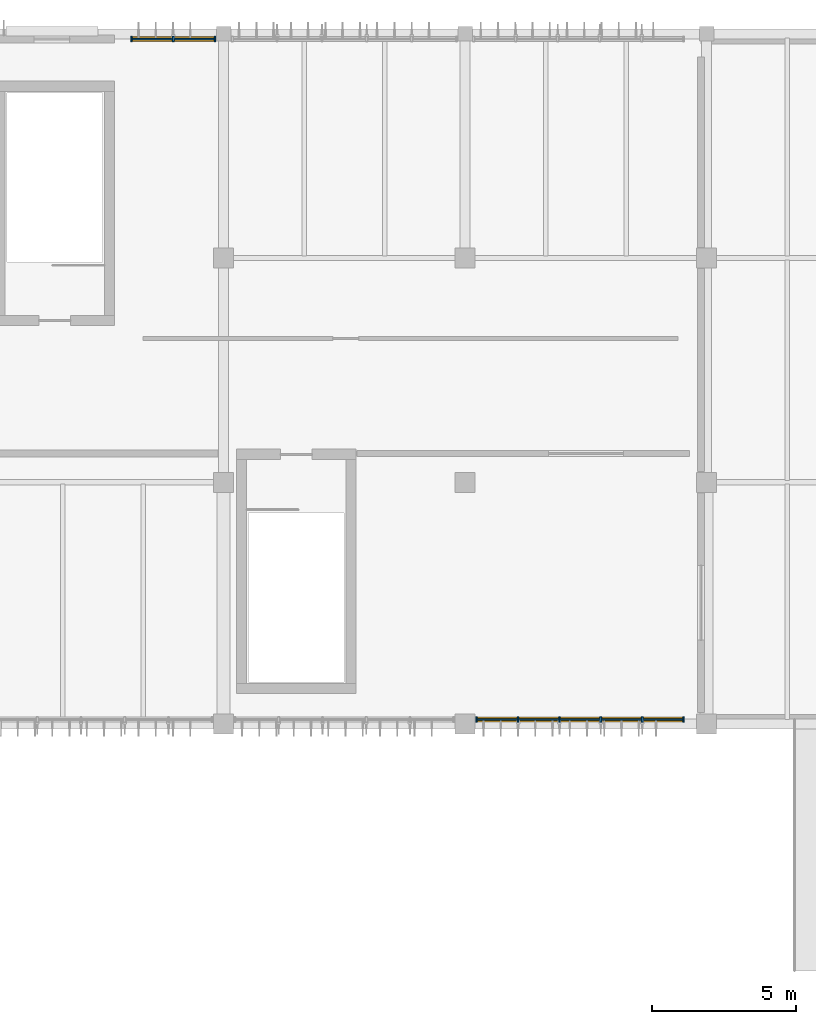
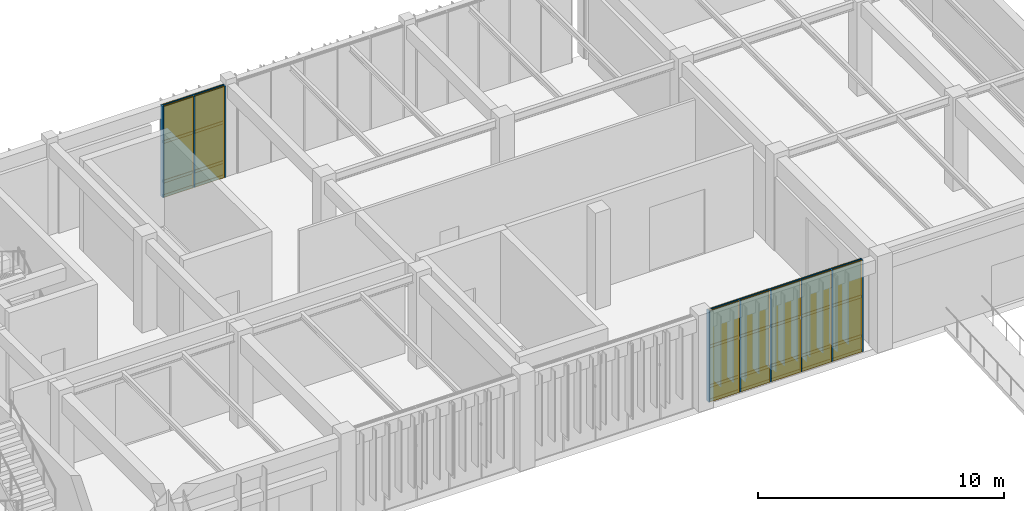
# One storey, part 103 of 122: 37 members, 21 plates, 2 curtain walls.
"""IFC4 building model written with IfcOpenShell, lengths in metres."""

from ifc_helpers import new_model, si_unit, direction, frame, frame_2d, origin, origin_2d, place, context, subcontext, project, spatial, rectangle, extrude, material, layer, layer_set, material_profile, profile_set, type_object, element, aggregate, save


model = new_model("IFC4")

# Units and contexts
model_context = context("Model", 3, precision=1e-05, world=origin(), true_north=direction((0.0, 1.0)))
body_context = subcontext(model_context, "Body", "Model", "MODEL_VIEW")
ifc_project = project(units=[si_unit("LENGTHUNIT", "METRE"), si_unit("AREAUNIT", "SQUARE_METRE"), si_unit("VOLUMEUNIT", "CUBIC_METRE"), si_unit("PLANEANGLEUNIT", "RADIAN"), si_unit("MASSUNIT", "GRAM", prefix="KILO")], contexts=[model_context])

# Member
ifc_material_1 = material(Name="Anodised Bronze Aluminium 6063-T6", Category="aluminium")
ifc_material_profile_1 = material_profile(ifc_material_1, rectangle(XDim=0.06005859375, YDim=0.179931640625, at=origin_2d()), Name="ALU MULLION 60x180")
ifc_profile_set_1 = profile_set([ifc_material_profile_1], Name="Anodised Bronze Aluminium 6063-T6")
member_type_1 = type_object("IfcMemberType", Name="Curtain-Wall Primary Mullion 60x180", PredefinedType="MULLION", material=ifc_profile_set_1)
site_placement = place(None, origin())
building_placement = place(site_placement, origin())
storey_placement = place(building_placement, origin())
member_1_placement = place(storey_placement, frame((130.60009765625, 111.6201171875, 0.0), z_axis=(0.0, 0.0, 1.0), x_axis=(1.0, 0.0, 0.0)))
member_1 = element("IfcMember", 1, at=member_1_placement, type_object=member_type_1, Name="Mullion CWM-01 CW-V3-N3-L00-B1-M01", PredefinedType="MULLION", context=body_context, shape_type="SweptSolid", body=[
    extrude(rectangle(XDim=0.06005859375, YDim=0.179931640625, at=origin_2d()), origin(), (0.0, 0.0, 1.0), 4.5400390625),
])

member_2_placement = place(storey_placement, frame((132.050048828125, 111.6201171875, 0.0), z_axis=(0.0, 0.0, 1.0), x_axis=(1.0, 0.0, 0.0)))
member_2 = element("IfcMember", 2, at=member_2_placement, type_object=member_type_1, Name="Mullion CWM-01 CW-V3-N3-L00-B1-M02", PredefinedType="MULLION", context=body_context, shape_type="SweptSolid", body=[
    extrude(rectangle(XDim=0.06005859375, YDim=0.179931640625, at=origin_2d()), origin(), (0.0, 0.0, 1.0), 4.5400390625),
])

member_3_placement = place(storey_placement, frame((133.5, 111.6201171875, 0.0), z_axis=(0.0, 0.0, 1.0), x_axis=(1.0, 0.0, 0.0)))
member_3 = element("IfcMember", 3, at=member_3_placement, type_object=member_type_1, Name="Mullion CWM-01 CW-V3-N3-L00-B1-M03", PredefinedType="MULLION", context=body_context, shape_type="SweptSolid", body=[
    extrude(rectangle(XDim=0.06005859375, YDim=0.179931640625, at=origin_2d()), origin(), (0.0, 0.0, 1.0), 4.5400390625),
])

member_4_placement = place(storey_placement, frame((142.60009765625, 87.949951171875, 0.0), z_axis=(0.0, 0.0, 1.0), x_axis=(1.0, 0.0, 0.0)))
member_4 = element("IfcMember", 4, at=member_4_placement, type_object=member_type_1, Name="Mullion CWM-01 CW-V3-S2-L00-B3-M01", PredefinedType="MULLION", context=body_context, shape_type="SweptSolid", body=[
    extrude(rectangle(XDim=0.06005859375, YDim=0.179931640625, at=origin_2d()), origin(), (0.0, 0.0, 1.0), 4.5400390625),
])

member_5_placement = place(storey_placement, frame((144.0400390625, 87.949951171875, 0.0), z_axis=(0.0, 0.0, 1.0), x_axis=(1.0, 0.0, 0.0)))
member_5 = element("IfcMember", 5, at=member_5_placement, type_object=member_type_1, Name="Mullion CWM-01 CW-V3-S2-L00-B3-M02", PredefinedType="MULLION", context=body_context, shape_type="SweptSolid", body=[
    extrude(rectangle(XDim=0.06005859375, YDim=0.179931640625, at=origin_2d()), origin(), (0.0, 0.0, 1.0), 4.5400390625),
])

member_6_placement = place(storey_placement, frame((145.47998046875, 87.949951171875, 0.0), z_axis=(0.0, 0.0, 1.0), x_axis=(1.0, 0.0, 0.0)))
member_6 = element("IfcMember", 6, at=member_6_placement, type_object=member_type_1, Name="Mullion CWM-01 CW-V3-S2-L00-B3-M03", PredefinedType="MULLION", context=body_context, shape_type="SweptSolid", body=[
    extrude(rectangle(XDim=0.06005859375, YDim=0.179931640625, at=origin_2d()), origin(), (0.0, 0.0, 1.0), 4.5400390625),
])

member_7_placement = place(storey_placement, frame((146.919921875, 87.949951171875, 0.0), z_axis=(0.0, 0.0, 1.0), x_axis=(1.0, 0.0, 0.0)))
member_7 = element("IfcMember", 7, at=member_7_placement, type_object=member_type_1, Name="Mullion CWM-01 CW-V3-S2-L00-B3-M04", PredefinedType="MULLION", context=body_context, shape_type="SweptSolid", body=[
    extrude(rectangle(XDim=0.06005859375, YDim=0.179931640625, at=origin_2d()), origin(), (0.0, 0.0, 1.0), 4.5400390625),
])

member_8_placement = place(storey_placement, frame((148.360107421875, 87.949951171875, 0.0), z_axis=(0.0, 0.0, 1.0), x_axis=(1.0, 0.0, 0.0)))
member_8 = element("IfcMember", 8, at=member_8_placement, type_object=member_type_1, Name="Mullion CWM-01 CW-V3-S2-L00-B3-M05", PredefinedType="MULLION", context=body_context, shape_type="SweptSolid", body=[
    extrude(rectangle(XDim=0.06005859375, YDim=0.179931640625, at=origin_2d()), origin(), (0.0, 0.0, 1.0), 4.5400390625),
])

member_9_placement = place(storey_placement, frame((149.800048828125, 87.949951171875, 0.0), z_axis=(0.0, 0.0, 1.0), x_axis=(1.0, 0.0, 0.0)))
member_9 = element("IfcMember", 9, at=member_9_placement, type_object=member_type_1, Name="Mullion CWM-01 CW-V3-S2-L00-B3-M06", PredefinedType="MULLION", context=body_context, shape_type="SweptSolid", body=[
    extrude(rectangle(XDim=0.06005859375, YDim=0.179931640625, at=origin_2d()), origin(), (0.0, 0.0, 1.0), 4.5400390625),
])

ifc_material_profile_2 = material_profile(ifc_material_1, rectangle(XDim=0.06005859375, YDim=0.139892578125, at=origin_2d()), Name="ALU TRANSOM 60x140")
ifc_profile_set_2 = profile_set([ifc_material_profile_2], Name="Anodised Bronze Aluminium 6063-T6")
member_type_2 = type_object("IfcMemberType", Name="Curtain-Wall Transom 60x140", PredefinedType="USERDEFINED", material=ifc_profile_set_2)
member_10_placement = place(storey_placement, frame((130.635009765625, 111.6201171875, 0.0400390625), z_axis=(1.0, 0.0, 0.0), x_axis=(0.0, 1.0, 0.0)))
member_10 = element("IfcMember", 10, at=member_10_placement, type_object=member_type_2, Name="Transom CWT-01 CW-V3-N3-L00-B1-T01.1", ObjectType="TRANSOM", PredefinedType="USERDEFINED", context=body_context, shape_type="SweptSolid", body=[
    extrude(rectangle(XDim=0.06005859375, YDim=0.139892578125, at=origin_2d()), origin(), (0.0, 0.0, 1.0), 1.3798828125),
])

member_11_placement = place(storey_placement, frame((130.635009765625, 111.6201171875, 0.75), z_axis=(1.0, 0.0, 0.0), x_axis=(0.0, 1.0, 0.0)))
member_11 = element("IfcMember", 11, at=member_11_placement, type_object=member_type_2, Name="Transom CWT-01 CW-V3-N3-L00-B1-T01.2", ObjectType="TRANSOM", PredefinedType="USERDEFINED", context=body_context, shape_type="SweptSolid", body=[
    extrude(rectangle(XDim=0.06005859375, YDim=0.139892578125, at=origin_2d()), origin(), (0.0, 0.0, 1.0), 1.3798828125),
])

member_12_placement = place(storey_placement, frame((130.635009765625, 111.6201171875, 2.720703125), z_axis=(1.0, 0.0, 0.0), x_axis=(0.0, 1.0, 0.0)))
member_12 = element("IfcMember", 12, at=member_12_placement, type_object=member_type_2, Name="Transom CWT-01 CW-V3-N3-L00-B1-T01.3", ObjectType="TRANSOM", PredefinedType="USERDEFINED", context=body_context, shape_type="SweptSolid", body=[
    extrude(rectangle(XDim=0.06005859375, YDim=0.139892578125, at=origin_2d()), origin(), (0.0, 0.0, 1.0), 1.3798828125),
])

member_13_placement = place(storey_placement, frame((130.635009765625, 111.6201171875, 4.5), z_axis=(1.0, 0.0, 0.0), x_axis=(0.0, 1.0, 0.0)))
member_13 = element("IfcMember", 13, at=member_13_placement, type_object=member_type_2, Name="Transom CWT-01 CW-V3-N3-L00-B1-T01.4", ObjectType="TRANSOM", PredefinedType="USERDEFINED", context=body_context, shape_type="SweptSolid", body=[
    extrude(rectangle(XDim=0.06005859375, YDim=0.139892578125, at=origin_2d()), origin(), (0.0, 0.0, 1.0), 1.3798828125),
])

member_14_placement = place(storey_placement, frame((132.0849609375, 111.6201171875, 0.0400390625), z_axis=(1.0, 0.0, 0.0), x_axis=(0.0, 1.0, 0.0)))
member_14 = element("IfcMember", 14, at=member_14_placement, type_object=member_type_2, Name="Transom CWT-01 CW-V3-N3-L00-B1-T02.1", ObjectType="TRANSOM", PredefinedType="USERDEFINED", context=body_context, shape_type="SweptSolid", body=[
    extrude(rectangle(XDim=0.06005859375, YDim=0.139892578125, at=origin_2d()), origin(), (0.0, 0.0, 1.0), 1.380126953125),
])

member_15_placement = place(storey_placement, frame((132.0849609375, 111.6201171875, 0.75), z_axis=(1.0, 0.0, 0.0), x_axis=(0.0, 1.0, 0.0)))
member_15 = element("IfcMember", 15, at=member_15_placement, type_object=member_type_2, Name="Transom CWT-01 CW-V3-N3-L00-B1-T02.2", ObjectType="TRANSOM", PredefinedType="USERDEFINED", context=body_context, shape_type="SweptSolid", body=[
    extrude(rectangle(XDim=0.06005859375, YDim=0.139892578125, at=origin_2d()), origin(), (0.0, 0.0, 1.0), 1.380126953125),
])

member_16_placement = place(storey_placement, frame((132.0849609375, 111.6201171875, 2.720703125), z_axis=(1.0, 0.0, 0.0), x_axis=(0.0, 1.0, 0.0)))
member_16 = element("IfcMember", 16, at=member_16_placement, type_object=member_type_2, Name="Transom CWT-01 CW-V3-N3-L00-B1-T02.3", ObjectType="TRANSOM", PredefinedType="USERDEFINED", context=body_context, shape_type="SweptSolid", body=[
    extrude(rectangle(XDim=0.06005859375, YDim=0.139892578125, at=origin_2d()), origin(), (0.0, 0.0, 1.0), 1.380126953125),
])

member_17_placement = place(storey_placement, frame((132.0849609375, 111.6201171875, 4.5), z_axis=(1.0, 0.0, 0.0), x_axis=(0.0, 1.0, 0.0)))
member_17 = element("IfcMember", 17, at=member_17_placement, type_object=member_type_2, Name="Transom CWT-01 CW-V3-N3-L00-B1-T02.4", ObjectType="TRANSOM", PredefinedType="USERDEFINED", context=body_context, shape_type="SweptSolid", body=[
    extrude(rectangle(XDim=0.06005859375, YDim=0.139892578125, at=origin_2d()), origin(), (0.0, 0.0, 1.0), 1.380126953125),
])

member_18_placement = place(storey_placement, frame((142.635009765625, 87.949951171875, 0.0400390625), z_axis=(1.0, 0.0, 0.0), x_axis=(0.0, 1.0, 0.0)))
member_18 = element("IfcMember", 18, at=member_18_placement, type_object=member_type_2, Name="Transom CWT-01 CW-V3-S2-L00-B3-T01.1", ObjectType="TRANSOM", PredefinedType="USERDEFINED", context=body_context, shape_type="SweptSolid", body=[
    extrude(rectangle(XDim=0.06005859375, YDim=0.139892578125, at=origin_2d()), origin(), (0.0, 0.0, 1.0), 1.369873046875),
])

member_19_placement = place(storey_placement, frame((142.635009765625, 87.949951171875, 0.75), z_axis=(1.0, 0.0, 0.0), x_axis=(0.0, 1.0, 0.0)))
member_19 = element("IfcMember", 19, at=member_19_placement, type_object=member_type_2, Name="Transom CWT-01 CW-V3-S2-L00-B3-T01.2", ObjectType="TRANSOM", PredefinedType="USERDEFINED", context=body_context, shape_type="SweptSolid", body=[
    extrude(rectangle(XDim=0.06005859375, YDim=0.139892578125, at=origin_2d()), origin(), (0.0, 0.0, 1.0), 1.369873046875),
])

member_20_placement = place(storey_placement, frame((142.635009765625, 87.949951171875, 2.720703125), z_axis=(1.0, 0.0, 0.0), x_axis=(0.0, 1.0, 0.0)))
member_20 = element("IfcMember", 20, at=member_20_placement, type_object=member_type_2, Name="Transom CWT-01 CW-V3-S2-L00-B3-T01.3", ObjectType="TRANSOM", PredefinedType="USERDEFINED", context=body_context, shape_type="SweptSolid", body=[
    extrude(rectangle(XDim=0.06005859375, YDim=0.139892578125, at=origin_2d()), origin(), (0.0, 0.0, 1.0), 1.369873046875),
])

member_21_placement = place(storey_placement, frame((142.635009765625, 87.949951171875, 4.5), z_axis=(1.0, 0.0, 0.0), x_axis=(0.0, 1.0, 0.0)))
member_21 = element("IfcMember", 21, at=member_21_placement, type_object=member_type_2, Name="Transom CWT-01 CW-V3-S2-L00-B3-T01.4", ObjectType="TRANSOM", PredefinedType="USERDEFINED", context=body_context, shape_type="SweptSolid", body=[
    extrude(rectangle(XDim=0.06005859375, YDim=0.139892578125, at=origin_2d()), origin(), (0.0, 0.0, 1.0), 1.369873046875),
])

member_22_placement = place(storey_placement, frame((144.074951171875, 87.949951171875, 0.0400390625), z_axis=(1.0, 0.0, 0.0), x_axis=(0.0, 1.0, 0.0)))
member_22 = element("IfcMember", 22, at=member_22_placement, type_object=member_type_2, Name="Transom CWT-01 CW-V3-S2-L00-B3-T02.1", ObjectType="TRANSOM", PredefinedType="USERDEFINED", context=body_context, shape_type="SweptSolid", body=[
    extrude(rectangle(XDim=0.06005859375, YDim=0.139892578125, at=origin_2d()), origin(), (0.0, 0.0, 1.0), 1.3701171875),
])

member_23_placement = place(storey_placement, frame((144.074951171875, 87.949951171875, 0.75), z_axis=(1.0, 0.0, 0.0), x_axis=(0.0, 1.0, 0.0)))
member_23 = element("IfcMember", 23, at=member_23_placement, type_object=member_type_2, Name="Transom CWT-01 CW-V3-S2-L00-B3-T02.2", ObjectType="TRANSOM", PredefinedType="USERDEFINED", context=body_context, shape_type="SweptSolid", body=[
    extrude(rectangle(XDim=0.06005859375, YDim=0.139892578125, at=origin_2d()), origin(), (0.0, 0.0, 1.0), 1.3701171875),
])

member_24_placement = place(storey_placement, frame((144.074951171875, 87.949951171875, 2.720703125), z_axis=(1.0, 0.0, 0.0), x_axis=(0.0, 1.0, 0.0)))
member_24 = element("IfcMember", 24, at=member_24_placement, type_object=member_type_2, Name="Transom CWT-01 CW-V3-S2-L00-B3-T02.3", ObjectType="TRANSOM", PredefinedType="USERDEFINED", context=body_context, shape_type="SweptSolid", body=[
    extrude(rectangle(XDim=0.06005859375, YDim=0.139892578125, at=origin_2d()), origin(), (0.0, 0.0, 1.0), 1.3701171875),
])

member_25_placement = place(storey_placement, frame((144.074951171875, 87.949951171875, 4.5), z_axis=(1.0, 0.0, 0.0), x_axis=(0.0, 1.0, 0.0)))
member_25 = element("IfcMember", 25, at=member_25_placement, type_object=member_type_2, Name="Transom CWT-01 CW-V3-S2-L00-B3-T02.4", ObjectType="TRANSOM", PredefinedType="USERDEFINED", context=body_context, shape_type="SweptSolid", body=[
    extrude(rectangle(XDim=0.06005859375, YDim=0.139892578125, at=origin_2d()), origin(), (0.0, 0.0, 1.0), 1.3701171875),
])

member_26_placement = place(storey_placement, frame((145.514892578125, 87.949951171875, 0.0400390625), z_axis=(1.0, 0.0, 0.0), x_axis=(0.0, 1.0, 0.0)))
member_26 = element("IfcMember", 26, at=member_26_placement, type_object=member_type_2, Name="Transom CWT-01 CW-V3-S2-L00-B3-T03.1", ObjectType="TRANSOM", PredefinedType="USERDEFINED", context=body_context, shape_type="SweptSolid", body=[
    extrude(rectangle(XDim=0.06005859375, YDim=0.139892578125, at=origin_2d()), origin(), (0.0, 0.0, 1.0), 1.3701171875),
])

member_27_placement = place(storey_placement, frame((145.514892578125, 87.949951171875, 0.75), z_axis=(1.0, 0.0, 0.0), x_axis=(0.0, 1.0, 0.0)))
member_27 = element("IfcMember", 27, at=member_27_placement, type_object=member_type_2, Name="Transom CWT-01 CW-V3-S2-L00-B3-T03.2", ObjectType="TRANSOM", PredefinedType="USERDEFINED", context=body_context, shape_type="SweptSolid", body=[
    extrude(rectangle(XDim=0.06005859375, YDim=0.139892578125, at=origin_2d()), origin(), (0.0, 0.0, 1.0), 1.3701171875),
])

member_28_placement = place(storey_placement, frame((145.514892578125, 87.949951171875, 2.720703125), z_axis=(1.0, 0.0, 0.0), x_axis=(0.0, 1.0, 0.0)))
member_28 = element("IfcMember", 28, at=member_28_placement, type_object=member_type_2, Name="Transom CWT-01 CW-V3-S2-L00-B3-T03.3", ObjectType="TRANSOM", PredefinedType="USERDEFINED", context=body_context, shape_type="SweptSolid", body=[
    extrude(rectangle(XDim=0.06005859375, YDim=0.139892578125, at=origin_2d()), origin(), (0.0, 0.0, 1.0), 1.3701171875),
])

member_29_placement = place(storey_placement, frame((145.514892578125, 87.949951171875, 4.5), z_axis=(1.0, 0.0, 0.0), x_axis=(0.0, 1.0, 0.0)))
member_29 = element("IfcMember", 29, at=member_29_placement, type_object=member_type_2, Name="Transom CWT-01 CW-V3-S2-L00-B3-T03.4", ObjectType="TRANSOM", PredefinedType="USERDEFINED", context=body_context, shape_type="SweptSolid", body=[
    extrude(rectangle(XDim=0.06005859375, YDim=0.139892578125, at=origin_2d()), origin(), (0.0, 0.0, 1.0), 1.3701171875),
])

member_30_placement = place(storey_placement, frame((146.955078125, 87.949951171875, 0.0400390625), z_axis=(1.0, 0.0, 0.0), x_axis=(0.0, 1.0, 0.0)))
member_30 = element("IfcMember", 30, at=member_30_placement, type_object=member_type_2, Name="Transom CWT-01 CW-V3-S2-L00-B3-T04.1", ObjectType="TRANSOM", PredefinedType="USERDEFINED", context=body_context, shape_type="SweptSolid", body=[
    extrude(rectangle(XDim=0.06005859375, YDim=0.139892578125, at=origin_2d()), origin(), (0.0, 0.0, 1.0), 1.369873046875),
])

member_31_placement = place(storey_placement, frame((146.955078125, 87.949951171875, 0.75), z_axis=(1.0, 0.0, 0.0), x_axis=(0.0, 1.0, 0.0)))
member_31 = element("IfcMember", 31, at=member_31_placement, type_object=member_type_2, Name="Transom CWT-01 CW-V3-S2-L00-B3-T04.2", ObjectType="TRANSOM", PredefinedType="USERDEFINED", context=body_context, shape_type="SweptSolid", body=[
    extrude(rectangle(XDim=0.06005859375, YDim=0.139892578125, at=origin_2d()), origin(), (0.0, 0.0, 1.0), 1.369873046875),
])

member_32_placement = place(storey_placement, frame((146.955078125, 87.949951171875, 2.720703125), z_axis=(1.0, 0.0, 0.0), x_axis=(0.0, 1.0, 0.0)))
member_32 = element("IfcMember", 32, at=member_32_placement, type_object=member_type_2, Name="Transom CWT-01 CW-V3-S2-L00-B3-T04.3", ObjectType="TRANSOM", PredefinedType="USERDEFINED", context=body_context, shape_type="SweptSolid", body=[
    extrude(rectangle(XDim=0.06005859375, YDim=0.139892578125, at=origin_2d()), origin(), (0.0, 0.0, 1.0), 1.369873046875),
])

member_33_placement = place(storey_placement, frame((146.955078125, 87.949951171875, 4.5), z_axis=(1.0, 0.0, 0.0), x_axis=(0.0, 1.0, 0.0)))
member_33 = element("IfcMember", 33, at=member_33_placement, type_object=member_type_2, Name="Transom CWT-01 CW-V3-S2-L00-B3-T04.4", ObjectType="TRANSOM", PredefinedType="USERDEFINED", context=body_context, shape_type="SweptSolid", body=[
    extrude(rectangle(XDim=0.06005859375, YDim=0.139892578125, at=origin_2d()), origin(), (0.0, 0.0, 1.0), 1.369873046875),
])

member_34_placement = place(storey_placement, frame((148.39501953125, 87.949951171875, 0.0400390625), z_axis=(1.0, 0.0, 0.0), x_axis=(0.0, 1.0, 0.0)))
member_34 = element("IfcMember", 34, at=member_34_placement, type_object=member_type_2, Name="Transom CWT-01 CW-V3-S2-L00-B3-T05.1", ObjectType="TRANSOM", PredefinedType="USERDEFINED", context=body_context, shape_type="SweptSolid", body=[
    extrude(rectangle(XDim=0.06005859375, YDim=0.139892578125, at=origin_2d()), origin(), (0.0, 0.0, 1.0), 1.369873046875),
])

member_35_placement = place(storey_placement, frame((148.39501953125, 87.949951171875, 0.75), z_axis=(1.0, 0.0, 0.0), x_axis=(0.0, 1.0, 0.0)))
member_35 = element("IfcMember", 35, at=member_35_placement, type_object=member_type_2, Name="Transom CWT-01 CW-V3-S2-L00-B3-T05.2", ObjectType="TRANSOM", PredefinedType="USERDEFINED", context=body_context, shape_type="SweptSolid", body=[
    extrude(rectangle(XDim=0.06005859375, YDim=0.139892578125, at=origin_2d()), origin(), (0.0, 0.0, 1.0), 1.369873046875),
])

member_36_placement = place(storey_placement, frame((148.39501953125, 87.949951171875, 2.720703125), z_axis=(1.0, 0.0, 0.0), x_axis=(0.0, 1.0, 0.0)))
member_36 = element("IfcMember", 36, at=member_36_placement, type_object=member_type_2, Name="Transom CWT-01 CW-V3-S2-L00-B3-T05.3", ObjectType="TRANSOM", PredefinedType="USERDEFINED", context=body_context, shape_type="SweptSolid", body=[
    extrude(rectangle(XDim=0.06005859375, YDim=0.139892578125, at=origin_2d()), origin(), (0.0, 0.0, 1.0), 1.369873046875),
])

member_37_placement = place(storey_placement, frame((148.39501953125, 87.949951171875, 4.5), z_axis=(1.0, 0.0, 0.0), x_axis=(0.0, 1.0, 0.0)))
member_37 = element("IfcMember", 37, at=member_37_placement, type_object=member_type_2, Name="Transom CWT-01 CW-V3-S2-L00-B3-T05.4", ObjectType="TRANSOM", PredefinedType="USERDEFINED", context=body_context, shape_type="SweptSolid", body=[
    extrude(rectangle(XDim=0.06005859375, YDim=0.139892578125, at=origin_2d()), origin(), (0.0, 0.0, 1.0), 1.369873046875),
])

# Plate
ifc_material_2 = material(Name="Insulated Bronze Aluminium Spandrel Panel", Category="aluminium")
ifc_layer_1 = layer(ifc_material_2, 0.050048828125, Name="Insulated Bronze Aluminium Spandrel Panel")
ifc_layer_set_1 = layer_set([ifc_layer_1], Name="Insulated Bronze Aluminium Spandrel Panel")
plate_type_1 = type_object("IfcPlateType", Name="Insulated Anodised Aluminium Spandrel Cassette 50", PredefinedType="CURTAIN_PANEL", material=ifc_layer_set_1)
plate_1_placement = place(storey_placement, frame((131.324951171875, 111.6201171875, 0.070068359375), z_axis=(0.0, 0.0, 1.0), x_axis=(1.0, 0.0, 0.0)))
plate_1 = element("IfcPlate", 38, at=plate_1_placement, type_object=plate_type_1, Name="Curtain Panel CWP-03 CW-V3-N3-L00-B1-P01.1", PredefinedType="CURTAIN_PANEL", context=body_context, shape_type="SweptSolid", body=[
    extrude(rectangle(XDim=1.3798828125, YDim=0.050048828125, at=origin_2d()), origin(), (0.0, 0.0, 1.0), 0.64990234375),
])

plate_2_placement = place(storey_placement, frame((132.77490234375, 111.6201171875, 0.070068359375), z_axis=(0.0, 0.0, 1.0), x_axis=(1.0, 0.0, 0.0)))
plate_2 = element("IfcPlate", 39, at=plate_2_placement, type_object=plate_type_1, Name="Curtain Panel CWP-03 CW-V3-N3-L00-B1-P02.1", PredefinedType="CURTAIN_PANEL", context=body_context, shape_type="SweptSolid", body=[
    extrude(rectangle(XDim=1.3798828125, YDim=0.050048828125, at=origin_2d()), origin(), (0.0, 0.0, 1.0), 0.64990234375),
])

plate_3_placement = place(storey_placement, frame((143.320068359375, 87.949951171875, 0.070068359375), z_axis=(0.0, 0.0, 1.0), x_axis=(1.0, 0.0, 0.0)))
plate_3 = element("IfcPlate", 40, at=plate_3_placement, type_object=plate_type_1, Name="Curtain Panel CWP-03 CW-V3-S2-L00-B3-P01.1", PredefinedType="CURTAIN_PANEL", context=body_context, shape_type="SweptSolid", body=[
    extrude(rectangle(XDim=1.3701171875, YDim=0.050048828125, at=origin_2d()), origin(), (0.0, 0.0, 1.0), 0.64990234375),
])

plate_4_placement = place(storey_placement, frame((144.760009765625, 87.949951171875, 0.070068359375), z_axis=(0.0, 0.0, 1.0), x_axis=(1.0, 0.0, 0.0)))
plate_4 = element("IfcPlate", 41, at=plate_4_placement, type_object=plate_type_1, Name="Curtain Panel CWP-03 CW-V3-S2-L00-B3-P02.1", PredefinedType="CURTAIN_PANEL", context=body_context, shape_type="SweptSolid", body=[
    extrude(rectangle(XDim=1.3701171875, YDim=0.050048828125, at=origin_2d()), origin(), (0.0, 0.0, 1.0), 0.64990234375),
])

plate_5_placement = place(storey_placement, frame((146.199951171875, 87.949951171875, 0.070068359375), z_axis=(0.0, 0.0, 1.0), x_axis=(1.0, 0.0, 0.0)))
plate_5 = element("IfcPlate", 42, at=plate_5_placement, type_object=plate_type_1, Name="Curtain Panel CWP-03 CW-V3-S2-L00-B3-P03.1", PredefinedType="CURTAIN_PANEL", context=body_context, shape_type="SweptSolid", body=[
    extrude(rectangle(XDim=1.3701171875, YDim=0.050048828125, at=origin_2d()), origin(), (0.0, 0.0, 1.0), 0.64990234375),
])

plate_6_placement = place(storey_placement, frame((147.639892578125, 87.949951171875, 0.070068359375), z_axis=(0.0, 0.0, 1.0), x_axis=(1.0, 0.0, 0.0)))
plate_6 = element("IfcPlate", 43, at=plate_6_placement, type_object=plate_type_1, Name="Curtain Panel CWP-03 CW-V3-S2-L00-B3-P04.1", PredefinedType="CURTAIN_PANEL", context=body_context, shape_type="SweptSolid", body=[
    extrude(rectangle(XDim=1.3701171875, YDim=0.050048828125, at=origin_2d()), origin(), (0.0, 0.0, 1.0), 0.64990234375),
])

plate_7_placement = place(storey_placement, frame((149.080078125, 87.949951171875, 0.070068359375), z_axis=(0.0, 0.0, 1.0), x_axis=(1.0, 0.0, 0.0)))
plate_7 = element("IfcPlate", 44, at=plate_7_placement, type_object=plate_type_1, Name="Curtain Panel CWP-03 CW-V3-S2-L00-B3-P05.1", PredefinedType="CURTAIN_PANEL", context=body_context, shape_type="SweptSolid", body=[
    extrude(rectangle(XDim=1.3701171875, YDim=0.050048828125, at=origin_2d()), origin(), (0.0, 0.0, 1.0), 0.64990234375),
])

ifc_material_3 = material(Name="Solar-Control Tempered Double Glazing", Category="glass")
ifc_layer_2 = layer(ifc_material_3, 0.0380859375, Name="Solar-Control Tempered Double Glazing")
ifc_layer_set_2 = layer_set([ifc_layer_2], Name="Solar-Control Tempered Double Glazing")
plate_type_2 = type_object("IfcPlateType", Name="Solar-Control Vision Glazing Unit 38", PredefinedType="CURTAIN_PANEL", material=ifc_layer_set_2)
plate_8_placement = place(storey_placement, frame((131.324951171875, 111.6201171875, 0.77978515625), z_axis=(0.0, 0.0, 1.0), x_axis=(1.0, 0.0, 0.0)))
plate_8 = element("IfcPlate", 45, at=plate_8_placement, type_object=plate_type_2, Name="Curtain Panel CWP-02 CW-V3-N3-L00-B1-P01.2", PredefinedType="CURTAIN_PANEL", context=body_context, shape_type="SweptSolid", body=[
    extrude(rectangle(XDim=1.3798828125, YDim=0.0380859375, at=origin_2d()), origin(), (0.0, 0.0, 1.0), 1.910888671875),
])

plate_9_placement = place(storey_placement, frame((131.324951171875, 111.6201171875, 2.750732421875), z_axis=(0.0, 0.0, 1.0), x_axis=(1.0, 0.0, 0.0)))
plate_9 = element("IfcPlate", 46, at=plate_9_placement, type_object=plate_type_2, Name="Curtain Panel CWP-02 CW-V3-N3-L00-B1-P01.3", PredefinedType="CURTAIN_PANEL", context=body_context, shape_type="SweptSolid", body=[
    extrude(rectangle(XDim=1.3798828125, YDim=0.0380859375, at=origin_2d()), origin(), (0.0, 0.0, 1.0), 1.71923828125),
])

plate_10_placement = place(storey_placement, frame((132.77490234375, 111.6201171875, 0.77978515625), z_axis=(0.0, 0.0, 1.0), x_axis=(1.0, 0.0, 0.0)))
plate_10 = element("IfcPlate", 47, at=plate_10_placement, type_object=plate_type_2, Name="Curtain Panel CWP-02 CW-V3-N3-L00-B1-P02.2", PredefinedType="CURTAIN_PANEL", context=body_context, shape_type="SweptSolid", body=[
    extrude(rectangle(XDim=1.3798828125, YDim=0.0380859375, at=origin_2d()), origin(), (0.0, 0.0, 1.0), 1.910888671875),
])

plate_11_placement = place(storey_placement, frame((132.77490234375, 111.6201171875, 2.750732421875), z_axis=(0.0, 0.0, 1.0), x_axis=(1.0, 0.0, 0.0)))
plate_11 = element("IfcPlate", 48, at=plate_11_placement, type_object=plate_type_2, Name="Curtain Panel CWP-02 CW-V3-N3-L00-B1-P02.3", PredefinedType="CURTAIN_PANEL", context=body_context, shape_type="SweptSolid", body=[
    extrude(rectangle(XDim=1.3798828125, YDim=0.0380859375, at=origin_2d()), origin(), (0.0, 0.0, 1.0), 1.71923828125),
])

plate_12_placement = place(storey_placement, frame((143.320068359375, 87.949951171875, 0.77978515625), z_axis=(0.0, 0.0, 1.0), x_axis=(1.0, 0.0, 0.0)))
plate_12 = element("IfcPlate", 49, at=plate_12_placement, type_object=plate_type_2, Name="Curtain Panel CWP-02 CW-V3-S2-L00-B3-P01.2", PredefinedType="CURTAIN_PANEL", context=body_context, shape_type="SweptSolid", body=[
    extrude(rectangle(XDim=1.3701171875, YDim=0.0380859375, at=origin_2d()), origin(), (0.0, 0.0, 1.0), 1.910888671875),
])

plate_13_placement = place(storey_placement, frame((143.320068359375, 87.949951171875, 2.750732421875), z_axis=(0.0, 0.0, 1.0), x_axis=(1.0, 0.0, 0.0)))
plate_13 = element("IfcPlate", 50, at=plate_13_placement, type_object=plate_type_2, Name="Curtain Panel CWP-02 CW-V3-S2-L00-B3-P01.3", PredefinedType="CURTAIN_PANEL", context=body_context, shape_type="SweptSolid", body=[
    extrude(rectangle(XDim=1.3701171875, YDim=0.0380859375, at=origin_2d()), origin(), (0.0, 0.0, 1.0), 1.71923828125),
])

plate_14_placement = place(storey_placement, frame((144.760009765625, 87.949951171875, 0.77978515625), z_axis=(0.0, 0.0, 1.0), x_axis=(1.0, 0.0, 0.0)))
plate_14 = element("IfcPlate", 51, at=plate_14_placement, type_object=plate_type_2, Name="Curtain Panel CWP-02 CW-V3-S2-L00-B3-P02.2", PredefinedType="CURTAIN_PANEL", context=body_context, shape_type="SweptSolid", body=[
    extrude(rectangle(XDim=1.3701171875, YDim=0.0380859375, at=origin_2d()), origin(), (0.0, 0.0, 1.0), 1.910888671875),
])

plate_15_placement = place(storey_placement, frame((144.760009765625, 87.949951171875, 2.750732421875), z_axis=(0.0, 0.0, 1.0), x_axis=(1.0, 0.0, 0.0)))
plate_15 = element("IfcPlate", 52, at=plate_15_placement, type_object=plate_type_2, Name="Curtain Panel CWP-02 CW-V3-S2-L00-B3-P02.3", PredefinedType="CURTAIN_PANEL", context=body_context, shape_type="SweptSolid", body=[
    extrude(rectangle(XDim=1.3701171875, YDim=0.0380859375, at=origin_2d()), origin(), (0.0, 0.0, 1.0), 1.71923828125),
])

plate_16_placement = place(storey_placement, frame((146.199951171875, 87.949951171875, 0.77978515625), z_axis=(0.0, 0.0, 1.0), x_axis=(1.0, 0.0, 0.0)))
plate_16 = element("IfcPlate", 53, at=plate_16_placement, type_object=plate_type_2, Name="Curtain Panel CWP-02 CW-V3-S2-L00-B3-P03.2", PredefinedType="CURTAIN_PANEL", context=body_context, shape_type="SweptSolid", body=[
    extrude(rectangle(XDim=1.3701171875, YDim=0.0380859375, at=origin_2d()), origin(), (0.0, 0.0, 1.0), 1.910888671875),
])

plate_17_placement = place(storey_placement, frame((146.199951171875, 87.949951171875, 2.750732421875), z_axis=(0.0, 0.0, 1.0), x_axis=(1.0, 0.0, 0.0)))
plate_17 = element("IfcPlate", 54, at=plate_17_placement, type_object=plate_type_2, Name="Curtain Panel CWP-02 CW-V3-S2-L00-B3-P03.3", PredefinedType="CURTAIN_PANEL", context=body_context, shape_type="SweptSolid", body=[
    extrude(rectangle(XDim=1.3701171875, YDim=0.0380859375, at=origin_2d()), origin(), (0.0, 0.0, 1.0), 1.71923828125),
])

plate_18_placement = place(storey_placement, frame((147.639892578125, 87.949951171875, 0.77978515625), z_axis=(0.0, 0.0, 1.0), x_axis=(1.0, 0.0, 0.0)))
plate_18 = element("IfcPlate", 55, at=plate_18_placement, type_object=plate_type_2, Name="Curtain Panel CWP-02 CW-V3-S2-L00-B3-P04.2", PredefinedType="CURTAIN_PANEL", context=body_context, shape_type="SweptSolid", body=[
    extrude(rectangle(XDim=1.3701171875, YDim=0.0380859375, at=origin_2d()), origin(), (0.0, 0.0, 1.0), 1.910888671875),
])

plate_19_placement = place(storey_placement, frame((147.639892578125, 87.949951171875, 2.750732421875), z_axis=(0.0, 0.0, 1.0), x_axis=(1.0, 0.0, 0.0)))
plate_19 = element("IfcPlate", 56, at=plate_19_placement, type_object=plate_type_2, Name="Curtain Panel CWP-02 CW-V3-S2-L00-B3-P04.3", PredefinedType="CURTAIN_PANEL", context=body_context, shape_type="SweptSolid", body=[
    extrude(rectangle(XDim=1.3701171875, YDim=0.0380859375, at=origin_2d()), origin(), (0.0, 0.0, 1.0), 1.71923828125),
])

plate_20_placement = place(storey_placement, frame((149.080078125, 87.949951171875, 0.77978515625), z_axis=(0.0, 0.0, 1.0), x_axis=(1.0, 0.0, 0.0)))
plate_20 = element("IfcPlate", 57, at=plate_20_placement, type_object=plate_type_2, Name="Curtain Panel CWP-02 CW-V3-S2-L00-B3-P05.2", PredefinedType="CURTAIN_PANEL", context=body_context, shape_type="SweptSolid", body=[
    extrude(rectangle(XDim=1.3701171875, YDim=0.0380859375, at=origin_2d()), origin(), (0.0, 0.0, 1.0), 1.910888671875),
])

plate_21_placement = place(storey_placement, frame((149.080078125, 87.949951171875, 2.750732421875), z_axis=(0.0, 0.0, 1.0), x_axis=(1.0, 0.0, 0.0)))
plate_21 = element("IfcPlate", 58, at=plate_21_placement, type_object=plate_type_2, Name="Curtain Panel CWP-02 CW-V3-S2-L00-B3-P05.3", PredefinedType="CURTAIN_PANEL", context=body_context, shape_type="SweptSolid", body=[
    extrude(rectangle(XDim=1.3701171875, YDim=0.0380859375, at=origin_2d()), origin(), (0.0, 0.0, 1.0), 1.71923828125),
])

# Site, building, storey
site = spatial("IfcSite", under=ifc_project, at=site_placement, CompositionType="ELEMENT")
building = spatial("IfcBuilding", under=site, at=building_placement, Name="Tazoul Stagehouse", CompositionType="ELEMENT")
storey = spatial("IfcBuildingStorey", under=building, at=storey_placement, Name="L00", CompositionType="ELEMENT", Elevation=0.0)

# Curtain wall
curtain_wall_type = type_object("IfcCurtainWallType", Name="Rehearsal North Daylight Curtain Wall", PredefinedType="NOTDEFINED", material=ifc_material_1)
curtain_wall_1_placement = place(storey_placement, frame((130.60009765625, 111.6201171875, 0.0), z_axis=(0.0, 0.0, 1.0), x_axis=(1.0, 0.0, 0.0)))
curtain_wall_1 = element("IfcCurtainWall", 59, at=curtain_wall_1_placement, inside=storey, type_object=curtain_wall_type, Name="L00 Curtain Wall CW-04 (CW-V3-N3-L00-B1)", PredefinedType="NOTDEFINED", context=body_context, shape_type="SweptSolid", body=[
    extrude(rectangle(XDim=2.89990234375, YDim=0.179931640625, at=frame_2d((1.449951171875, 0.0))), origin(), (0.0, 0.0, 1.0), 4.5400390625),
])

aggregate(curtain_wall_1, [member_1, member_2, member_3, member_10, member_11, member_12, member_13, plate_1, plate_8, plate_9, member_14, member_15, member_16, member_17, plate_2, plate_10, plate_11])

curtain_wall_2_placement = place(storey_placement, frame((142.60009765625, 87.949951171875, 0.0), z_axis=(0.0, 0.0, 1.0), x_axis=(1.0, 0.0, 0.0)))
curtain_wall_2 = element("IfcCurtainWall", 60, at=curtain_wall_2_placement, inside=storey, type_object=curtain_wall_type, Name="L00 Curtain Wall CW-04 (CW-V3-S2-L00-B3)", PredefinedType="NOTDEFINED", context=body_context, shape_type="SweptSolid", body=[
    extrude(rectangle(XDim=7.199951171875, YDim=0.179931640625, at=frame_2d((3.60009765625, 0.0))), origin(), (0.0, 0.0, 1.0), 4.5400390625),
])

aggregate(curtain_wall_2, [member_4, member_5, member_6, member_7, member_8, member_9, member_18, member_19, member_20, member_21, plate_3, plate_12, plate_13, member_22, member_23, member_24, member_25, plate_4, plate_14, plate_15, member_26, member_27, member_28, member_29, plate_5, plate_16, plate_17, member_30, member_31, member_32, member_33, plate_6, plate_18, plate_19, member_34, member_35, member_36, member_37, plate_7, plate_20, plate_21])

save(model, "model.ifc")
